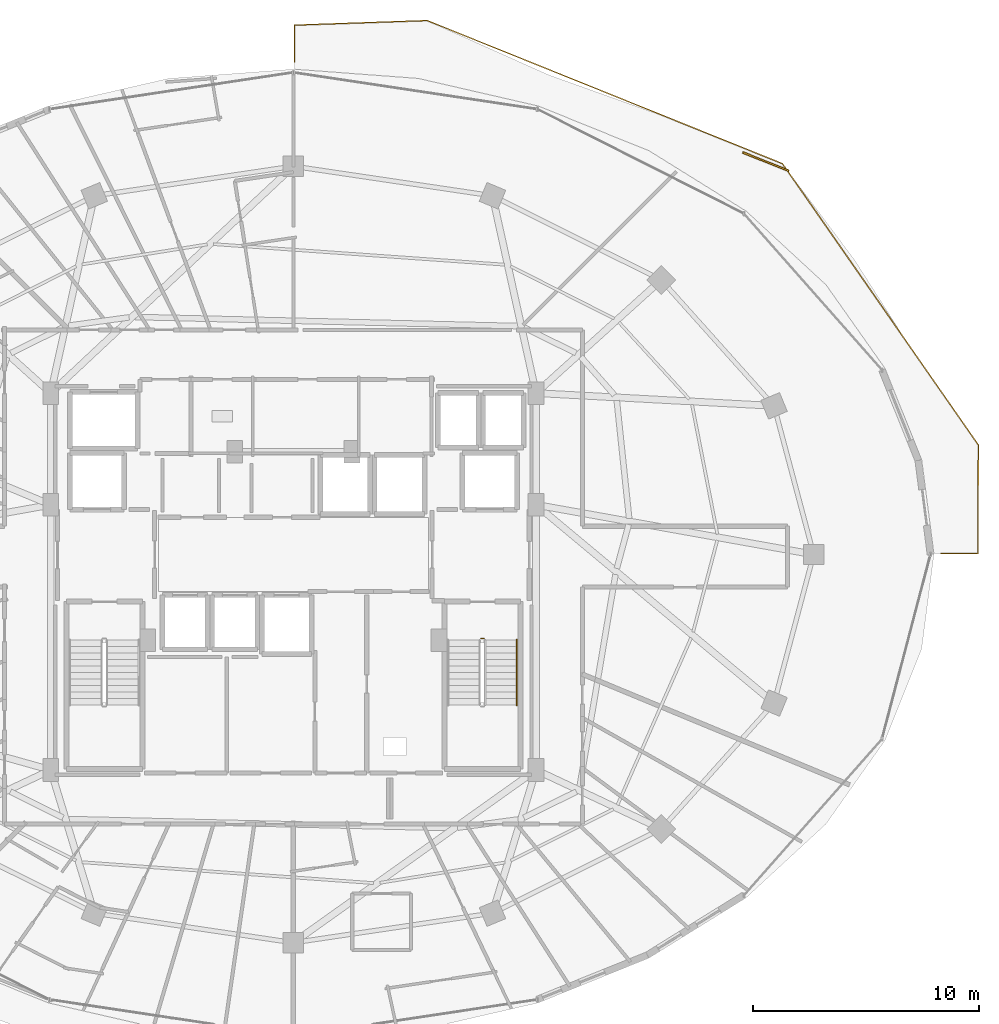
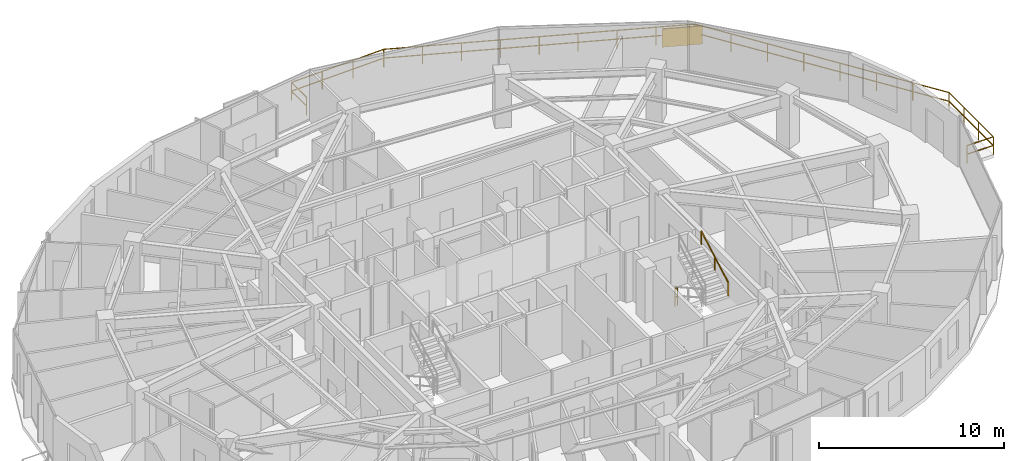
# One storey, part 32 of 33: 4 railings, 1 shading device.
"""IFC4 building model written with IfcOpenShell, lengths in metres."""

from ifc_helpers import new_model, si_unit, direction, frame, origin, origin_2d, place, context, subcontext, project, spatial, rectangle, extrude, material, type_object, element, save


model = new_model("IFC4")

# Units and contexts
model_context = context("Model", 3, precision=1e-05, world=origin(), true_north=direction((0.0, 1.0)))
body_context = subcontext(model_context, "Body", "Model", "MODEL_VIEW")
ifc_project = project(units=[si_unit("LENGTHUNIT", "METRE"), si_unit("AREAUNIT", "SQUARE_METRE"), si_unit("VOLUMEUNIT", "CUBIC_METRE"), si_unit("PLANEANGLEUNIT", "RADIAN"), si_unit("MASSUNIT", "GRAM", prefix="KILO")], contexts=[model_context])

# Site, building, storey
site_placement = place(None, origin())
site = spatial("IfcSite", under=ifc_project, at=site_placement, CompositionType="ELEMENT")
building_placement = place(site_placement, origin())
building = spatial("IfcBuilding", under=site, at=building_placement, Name="Vorneva Point Tower", CompositionType="ELEMENT")
storey_placement = place(building_placement, frame((0.0, 0.0, 200.10009765625)))
storey = spatial("IfcBuildingStorey", under=building, at=storey_placement, Name="L54", CompositionType="ELEMENT", Elevation=200.10009765625)

# Railings
ifc_material_1 = material(Name="Pale anodised aluminium", Category="aluminium")
railing_type_1 = type_object("IfcRailingType", Name="RL-BAL-1200", PredefinedType="BALUSTRADE", material=ifc_material_1)
railing_1_placement = place(storey_placement, frame((38.050048828125, 49.45166015625, 0.0)))
element("IfcRailing", 1, at=railing_1_placement, inside=storey, type_object=railing_type_1, Name="L54 Wave Balcony Balustrade NE.1", PredefinedType="BALUSTRADE", context=body_context, shape_type="SweptSolid", body=[
    extrude(rectangle(XDim=0.048095703125, YDim=0.048095703125, at=origin_2d()), frame((0.0, 0.0, 1.17578125), z_axis=(0.0, -1.0, 0.0), x_axis=(1.0, 0.0, 0.0)), (0.0, 0.0, 1.0), 1.634521484375),
    extrude(rectangle(XDim=0.048095703125, YDim=0.048095703125, at=origin_2d()), frame((0.0, 0.0, 0.60009765625), z_axis=(0.0, -1.0, 0.0), x_axis=(1.0, 0.0, 0.0)), (0.0, 0.0, 1.0), 1.634521484375),
    extrude(rectangle(XDim=0.0419921875, YDim=0.0419921875, at=origin_2d()), origin(), (0.0, 0.0, 1.0), 1.15185546875),
    extrude(rectangle(XDim=0.0419921875, YDim=0.0419921875, at=origin_2d()), frame((0.0, -1.634521484375, 0.0)), (0.0, 0.0, 1.0), 1.15185546875),
])
railing_2_placement = place(storey_placement, frame((66.6962890625, 26.050048828125, 0.0)))
element("IfcRailing", 2, at=railing_2_placement, inside=storey, type_object=railing_type_1, Name="L54 Wave Balcony Balustrade NE.2", PredefinedType="BALUSTRADE", context=body_context, shape_type="SweptSolid", body=[
    extrude(rectangle(XDim=0.048095703125, YDim=0.048095703125, at=origin_2d()), frame((0.0, 0.0, 1.17578125), z_axis=(1.0, 0.0, 0.0), x_axis=(0.0, 1.0, 0.0)), (0.0, 0.0, 1.0), 1.6337890625),
    extrude(rectangle(XDim=0.048095703125, YDim=0.048095703125, at=origin_2d()), frame((0.0, 0.0, 0.60009765625), z_axis=(1.0, 0.0, 0.0), x_axis=(0.0, 1.0, 0.0)), (0.0, 0.0, 1.0), 1.6337890625),
    extrude(rectangle(XDim=0.048095703125, YDim=0.048095703125, at=origin_2d()), frame((1.6337890625, 0.0, 1.17578125), z_axis=(0.003354150975, 0.99999437482, 0.0), x_axis=(-0.99999437482, 0.003354150975, 0.0)), (0.0, 0.0, 1.0), 4.803955078125),
    extrude(rectangle(XDim=0.048095703125, YDim=0.048095703125, at=origin_2d()), frame((1.6337890625, 0.0, 0.60009765625), z_axis=(0.003354150975, 0.99999437482, 0.0), x_axis=(-0.99999437482, 0.003354150975, 0.0)), (0.0, 0.0, 1.0), 4.803955078125),
    extrude(rectangle(XDim=0.048095703125, YDim=0.048095703125, at=origin_2d()), frame((1.64990234375, 4.803955078125, 1.17578125), z_axis=(-0.571489307162, 0.820609512374, 0.0), x_axis=(-0.820609512374, -0.571489307162, 0.0)), (0.0, 0.0, 1.0), 15.185302734375),
    extrude(rectangle(XDim=0.048095703125, YDim=0.048095703125, at=origin_2d()), frame((1.64990234375, 4.803955078125, 0.60009765625), z_axis=(-0.571489307162, 0.820609512374, 0.0), x_axis=(-0.820609512374, -0.571489307162, 0.0)), (0.0, 0.0, 1.0), 15.185302734375),
    extrude(rectangle(XDim=0.048095703125, YDim=0.048095703125, at=origin_2d()), frame((-7.0283203125, 17.26513671875, 1.17578125), z_axis=(-0.927629084928, 0.373502718591, 0.0), x_axis=(-0.373502718591, -0.927629084928, 0.0)), (0.0, 0.0, 1.0), 16.97265625),
    extrude(rectangle(XDim=0.048095703125, YDim=0.048095703125, at=origin_2d()), frame((-7.0283203125, 17.26513671875, 0.60009765625), z_axis=(-0.927629084928, 0.373502718591, 0.0), x_axis=(-0.373502718591, -0.927629084928, 0.0)), (0.0, 0.0, 1.0), 16.97265625),
    extrude(rectangle(XDim=0.048095703125, YDim=0.048095703125, at=origin_2d()), frame((-22.772705078125, 23.6044921875, 1.17578125), z_axis=(-0.99940397483, -0.034520937031, 0.0), x_axis=(0.034520937031, -0.99940397483, 0.0)), (0.0, 0.0, 1.0), 5.876953125),
    extrude(rectangle(XDim=0.048095703125, YDim=0.048095703125, at=origin_2d()), frame((-22.772705078125, 23.6044921875, 0.60009765625), z_axis=(-0.99940397483, -0.034520937031, 0.0), x_axis=(0.034520937031, -0.99940397483, 0.0)), (0.0, 0.0, 1.0), 5.876953125),
    extrude(rectangle(XDim=0.0419921875, YDim=0.0419921875, at=origin_2d()), origin(), (0.0, 0.0, 1.0), 1.15185546875),
    extrude(rectangle(XDim=0.0419921875, YDim=0.0419921875, at=origin_2d()), frame((1.6337890625, 0.0, 0.0)), (0.0, 0.0, 1.0), 1.15185546875),
    extrude(rectangle(XDim=0.0419921875, YDim=0.0419921875, at=origin_2d()), frame((1.63916015625, 1.601318359375, 0.0)), (0.0, 0.0, 1.0), 1.15185546875),
    extrude(rectangle(XDim=0.0419921875, YDim=0.0419921875, at=origin_2d()), frame((1.64453125, 3.20263671875, 0.0)), (0.0, 0.0, 1.0), 1.15185546875),
    extrude(rectangle(XDim=0.0419921875, YDim=0.0419921875, at=origin_2d()), frame((1.64990234375, 4.803955078125, 0.0)), (0.0, 0.0, 1.0), 1.15185546875),
    extrude(rectangle(XDim=0.0419921875, YDim=0.0419921875, at=origin_2d()), frame((0.41015625, 6.584228515625, 0.0)), (0.0, 0.0, 1.0), 1.15185546875),
    extrude(rectangle(XDim=0.0419921875, YDim=0.0419921875, at=origin_2d()), frame((-0.82958984375, 8.3642578125, 0.0)), (0.0, 0.0, 1.0), 1.15185546875),
    extrude(rectangle(XDim=0.0419921875, YDim=0.0419921875, at=origin_2d()), frame((-2.0693359375, 10.14453125, 0.0)), (0.0, 0.0, 1.0), 1.15185546875),
    extrude(rectangle(XDim=0.0419921875, YDim=0.0419921875, at=origin_2d()), frame((-3.30908203125, 11.924560546875, 0.0)), (0.0, 0.0, 1.0), 1.15185546875),
    extrude(rectangle(XDim=0.0419921875, YDim=0.0419921875, at=origin_2d()), frame((-4.548828125, 13.704833984375, 0.0)), (0.0, 0.0, 1.0), 1.15185546875),
    extrude(rectangle(XDim=0.0419921875, YDim=0.0419921875, at=origin_2d()), frame((-5.78857421875, 15.48486328125, 0.0)), (0.0, 0.0, 1.0), 1.15185546875),
    extrude(rectangle(XDim=0.0419921875, YDim=0.0419921875, at=origin_2d()), frame((-7.0283203125, 17.26513671875, 0.0)), (0.0, 0.0, 1.0), 1.15185546875),
    extrude(rectangle(XDim=0.0419921875, YDim=0.0419921875, at=origin_2d()), frame((-8.996337890625, 18.0576171875, 0.0)), (0.0, 0.0, 1.0), 1.15185546875),
    extrude(rectangle(XDim=0.0419921875, YDim=0.0419921875, at=origin_2d()), frame((-10.96435546875, 18.85009765625, 0.0)), (0.0, 0.0, 1.0), 1.15185546875),
    extrude(rectangle(XDim=0.0419921875, YDim=0.0419921875, at=origin_2d()), frame((-12.932373046875, 19.642333984375, 0.0)), (0.0, 0.0, 1.0), 1.15185546875),
    extrude(rectangle(XDim=0.0419921875, YDim=0.0419921875, at=origin_2d()), frame((-14.900390625, 20.434814453125, 0.0)), (0.0, 0.0, 1.0), 1.15185546875),
    extrude(rectangle(XDim=0.0419921875, YDim=0.0419921875, at=origin_2d()), frame((-16.86865234375, 21.227294921875, 0.0)), (0.0, 0.0, 1.0), 1.15185546875),
    extrude(rectangle(XDim=0.0419921875, YDim=0.0419921875, at=origin_2d()), frame((-18.836669921875, 22.01953125, 0.0)), (0.0, 0.0, 1.0), 1.15185546875),
    extrude(rectangle(XDim=0.0419921875, YDim=0.0419921875, at=origin_2d()), frame((-20.8046875, 22.81201171875, 0.0)), (0.0, 0.0, 1.0), 1.15185546875),
    extrude(rectangle(XDim=0.0419921875, YDim=0.0419921875, at=origin_2d()), frame((-22.772705078125, 23.6044921875, 0.0)), (0.0, 0.0, 1.0), 1.15185546875),
    extrude(rectangle(XDim=0.0419921875, YDim=0.0419921875, at=origin_2d()), frame((-24.73046875, 23.536865234375, 0.0)), (0.0, 0.0, 1.0), 1.15185546875),
    extrude(rectangle(XDim=0.0419921875, YDim=0.0419921875, at=origin_2d()), frame((-26.6884765625, 23.46923828125, 0.0)), (0.0, 0.0, 1.0), 1.15185546875),
    extrude(rectangle(XDim=0.0419921875, YDim=0.0419921875, at=origin_2d()), frame((-28.646240234375, 23.401611328125, 0.0)), (0.0, 0.0, 1.0), 1.15185546875),
])
ifc_material_2 = material(Name="Brushed stainless steel S304", Category="steel")
railing_type_2 = type_object("IfcRailingType", Name="RL-HND-920", PredefinedType="HANDRAIL", material=ifc_material_2)
railing_3_placement = place(storey_placement, frame((47.89990234375, 19.320068359375, 1.936279296875)))
element("IfcRailing", 3, at=railing_3_placement, inside=storey, type_object=railing_type_2, Name="L54 ST2 stair handrail 2", PredefinedType="HANDRAIL", context=body_context, shape_type="SweptSolid", body=[
    extrude(rectangle(XDim=0.048095703125, YDim=0.048095703125, at=origin_2d()), frame((0.0, 0.0, 0.8759765625), z_axis=(0.0, 0.873841303929, 0.486211245805), x_axis=(-1.0, 0.0, 0.0)), (0.0, 0.0, 1.0), 3.318603515625),
    extrude(rectangle(XDim=0.0419921875, YDim=0.0419921875, at=origin_2d()), origin(), (0.0, 0.0, 1.0), 0.851806640625),
    extrude(rectangle(XDim=0.0419921875, YDim=0.0419921875, at=origin_2d()), frame((0.0, 1.449951171875, 0.806640625)), (0.0, 0.0, 1.0), 0.851806640625),
    extrude(rectangle(XDim=0.0419921875, YDim=0.0419921875, at=origin_2d()), frame((0.0, 2.89990234375, 1.613525390625)), (0.0, 0.0, 1.0), 0.851806640625),
])
railing_type_3 = type_object("IfcRailingType", Name="RL-STG-1100", PredefinedType="GUARDRAIL", material=ifc_material_2)
railing_4_placement = place(storey_placement, frame((46.300048828125, 22.27001953125, 0.0)))
element("IfcRailing", 4, at=railing_4_placement, inside=storey, type_object=railing_type_3, Name="L54 ST2 stair guard 4", PredefinedType="GUARDRAIL", context=body_context, shape_type="SweptSolid", body=[
    extrude(rectangle(XDim=0.048095703125, YDim=0.048095703125, at=origin_2d()), frame((0.0, 0.0, 1.17578125), z_axis=(1.0, 0.0, 0.0), x_axis=(0.0, 1.0, 0.0)), (0.0, 0.0, 1.0), 0.14990234375),
    extrude(rectangle(XDim=0.048095703125, YDim=0.048095703125, at=origin_2d()), frame((0.0, 0.0, 0.60009765625), z_axis=(1.0, 0.0, 0.0), x_axis=(0.0, 1.0, 0.0)), (0.0, 0.0, 1.0), 0.14990234375),
    extrude(rectangle(XDim=0.0419921875, YDim=0.0419921875, at=origin_2d()), origin(), (0.0, 0.0, 1.0), 1.15185546875),
    extrude(rectangle(XDim=0.0419921875, YDim=0.0419921875, at=origin_2d()), frame((0.14990234375, 0.0, 0.0)), (0.0, 0.0, 1.0), 1.15185546875),
])

# Shading device
shading_device_type = type_object("IfcShadingDeviceType", Name="SHD-JAL-1200", PredefinedType="JALOUSIE", material=ifc_material_1)
shading_device_placement = place(storey_placement, frame((58.928955078125, 43.403076171875, -0.02001953125), z_axis=(0.0, 0.0, 1.0), x_axis=(-0.928109418915, 0.372307542928, 0.0)))
element("IfcShadingDevice", 5, at=shading_device_placement, inside=storey, type_object=shading_device_type, Name="L54 Balcony Vertical-Greenery Planter Screen NE.2", PredefinedType="JALOUSIE", context=body_context, shape_type="SweptSolid", body=[
    extrude(rectangle(XDim=2.199951171875, YDim=0.080078125, at=origin_2d()), origin(), (0.0, 0.0, 1.0), 1.199951171875),
])

save(model, "model.ifc")
